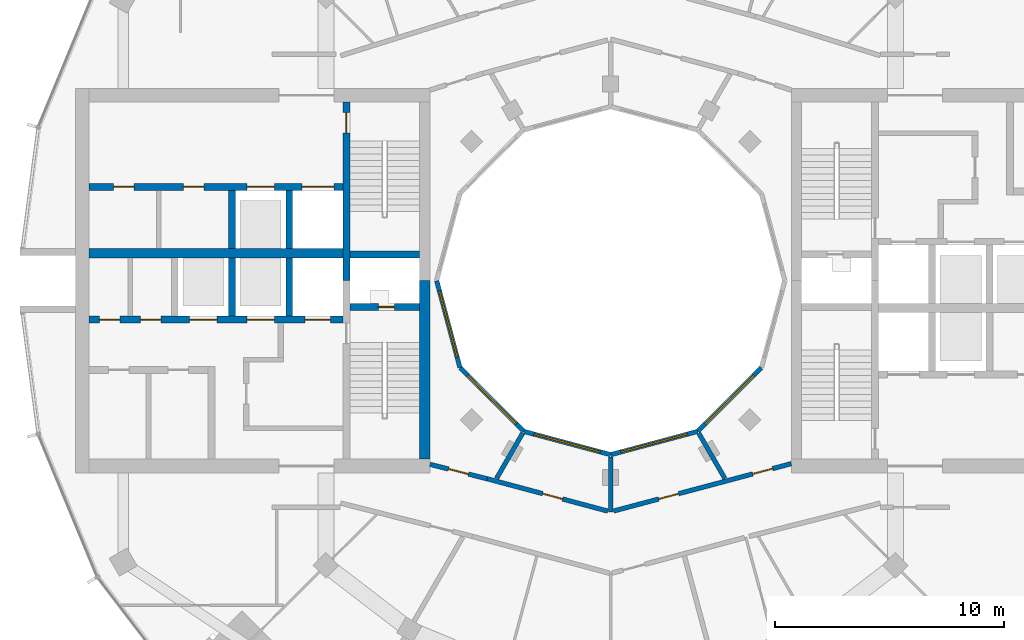
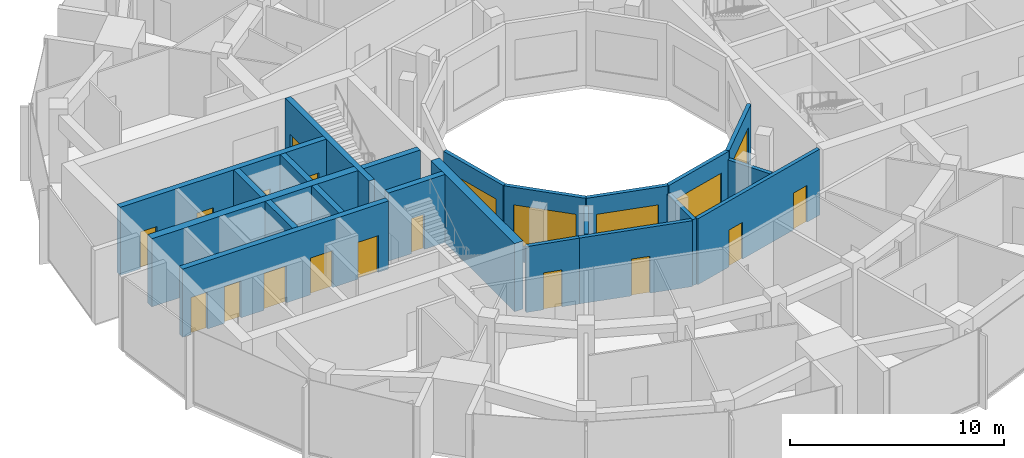
# One storey, part 9 of 15: 22 walls, 15 doors, 5 windows, 20 openings.
"""IFC4 building model written with IfcOpenShell, lengths in metres."""

from ifc_helpers import new_model, si_unit, direction, frame, frame_2d, origin, place, context, subcontext, project, spatial, rectangle, extrude, material, layer, layer_set, type_object, element, fill, save


model = new_model("IFC4")

# Units and contexts
model_context = context("Model", 3, precision=1e-05, world=origin(), true_north=direction((0.0, 1.0)))
body_context = subcontext(model_context, "Body", "Model", "MODEL_VIEW")
ifc_project = project(units=[si_unit("LENGTHUNIT", "METRE"), si_unit("AREAUNIT", "SQUARE_METRE"), si_unit("VOLUMEUNIT", "CUBIC_METRE"), si_unit("PLANEANGLEUNIT", "RADIAN"), si_unit("MASSUNIT", "GRAM", prefix="KILO")], contexts=[model_context])

# Site, building, storey
site_placement = place(None, origin())
site = spatial("IfcSite", under=ifc_project, at=site_placement, CompositionType="ELEMENT")
building_placement = place(site_placement, origin())
building = spatial("IfcBuilding", under=site, at=building_placement, Name="Torre Brocal", CompositionType="ELEMENT")
storey_placement = place(building_placement, frame((0.0, 0.0, 245.699951171875)))
storey = spatial("IfcBuildingStorey", under=building, at=storey_placement, Name="L56", CompositionType="ELEMENT", Elevation=245.699951171875)

# Wall, opening, door
ifc_material_1 = material(Name="Concrete C60", Category="concrete")
ifc_layer_1 = layer(ifc_material_1, 0.300048828125)
ifc_layer_set_1 = layer_set([ifc_layer_1], Name="Concrete C60")
wall_type_1 = type_object("IfcWallType", Name="CORE WALL 300 C60", PredefinedType="SHEAR", material=ifc_layer_set_1)
wall_1_placement = place(storey_placement, frame((68.449951171875, 82.800048828125, 0.0), z_axis=(0.0, 0.0, 1.0), x_axis=(0.0, -1.0, 0.0)))
wall_1 = element("IfcWall", 1, at=wall_1_placement, inside=storey, type_object=wall_type_1, Name="Wall CW300-60", PredefinedType="SHEAR", context=body_context, shape_type="SweptSolid", body=[
    extrude(rectangle(XDim=7.800048828125, YDim=0.300048828125, at=frame_2d((3.89990234375, 0.0))), origin(), (0.0, 0.0, 1.0), 3.880126953125),
])
opening_1_placement = place(wall_1_placement, frame((0.449951171875, 0.0, 0.0)))
opening_1 = element("IfcOpeningElement", 2, at=opening_1_placement, cuts=wall_1, Name="Opening W-D03", PredefinedType="OPENING", context=body_context, shape_type="SweptSolid", body=[
    extrude(rectangle(XDim=0.89990234375, YDim=2.10009765625, at=frame_2d((0.449951171875, 1.050048828125))), frame((0.0, 0.159912109375, 0.0), z_axis=(0.0, -1.0, 0.0), x_axis=(1.0, 0.0, 0.0)), (0.0, 0.0, 1.0), 0.320068359375),
])
ifc_material_2 = material(Name="Steel A653", Category="steel")
door_type_1 = type_object("IfcDoorType", Name="STAIR DOOR FD120 900X2100", OperationType="SINGLE_SWING_RIGHT", PredefinedType="DOOR", material=ifc_material_2)
door_1_placement = place(opening_1_placement, origin())
door_1 = element("IfcDoor", 3, at=door_1_placement, inside=storey, type_object=door_type_1, Name="Door W-D03", OperationType="SINGLE_SWING_LEFT", OverallHeight=2.10009765625, OverallWidth=0.89990234375, PredefinedType="DOOR", context=body_context, shape_type="SweptSolid", body=[
    extrude(rectangle(XDim=0.89990234375, YDim=2.10009765625, at=frame_2d((0.449951171875, 1.050048828125))), frame((0.0, 0.02490234375, 0.0), z_axis=(0.0, -1.0, 0.0), x_axis=(1.0, 0.0, 0.0)), (0.0, 0.0, 1.0), 0.050048828125),
])
fill(opening_1, door_1)

wall_2_placement = place(storey_placement, frame((71.64990234375, 73.85009765625, 0.0), z_axis=(0.0, 0.0, 1.0), x_axis=(-1.0, 0.0, 0.0)))
wall_2 = element("IfcWall", 4, at=wall_2_placement, inside=storey, type_object=wall_type_1, Name="Wall CW300-60", PredefinedType="SHEAR", context=body_context, shape_type="SweptSolid", body=[
    extrude(rectangle(XDim=3.0498046875, YDim=0.300048828125, at=frame_2d((1.52490234375, 0.0))), origin(), (0.0, 0.0, 1.0), 3.880126953125),
])
opening_2_placement = place(wall_2_placement, frame((1.10009765625, 0.0, 0.0)))
opening_2 = element("IfcOpeningElement", 5, at=opening_2_placement, cuts=wall_2, Name="Opening W-D01", PredefinedType="OPENING", context=body_context, shape_type="SweptSolid", body=[
    extrude(rectangle(XDim=0.699951171875, YDim=2.0, at=frame_2d((0.35009765625, 1.0))), frame((0.0, 0.159912109375, 0.0), z_axis=(0.0, -1.0, 0.0), x_axis=(1.0, 0.0, 0.0)), (0.0, 0.0, 1.0), 0.320068359375),
])
ifc_material_3 = material(Name="Steel A653", Category="steel")
door_type_2 = type_object("IfcDoorType", Name="RISER DOOR FD120 700X2000", OperationType="SINGLE_SWING_LEFT", PredefinedType="DOOR", material=ifc_material_3)
door_2_placement = place(opening_2_placement, frame((0.699951171875, 0.0, 0.0), z_axis=(0.0, 0.0, 1.0), x_axis=(-1.0, 0.0, 0.0)))
door_2 = element("IfcDoor", 6, at=door_2_placement, inside=storey, type_object=door_type_2, Name="Door W-D01", OperationType="SINGLE_SWING_RIGHT", OverallHeight=2.0, OverallWidth=0.699951171875, PredefinedType="DOOR", context=body_context, shape_type="SweptSolid", body=[
    extrude(rectangle(XDim=0.699951171875, YDim=2.0, at=frame_2d((0.35009765625, 1.0))), frame((0.0, 0.02490234375, 0.0), z_axis=(0.0, -1.0, 0.0), x_axis=(1.0, 0.0, 0.0)), (0.0, 0.0, 1.0), 0.050048828125),
])
fill(opening_2, door_2)

# Wall
wall_3_placement = place(storey_placement, frame((71.64990234375, 76.14990234375, 0.0), z_axis=(0.0, 0.0, 1.0), x_axis=(-1.0, 0.0, 0.0)))
element("IfcWall", 7, at=wall_3_placement, inside=storey, type_object=wall_type_1, Name="Wall CW300-60", PredefinedType="SHEAR", context=body_context, shape_type="SweptSolid", body=[
    extrude(rectangle(XDim=3.0498046875, YDim=0.300048828125, at=frame_2d((1.52490234375, 0.0))), origin(), (0.0, 0.0, 1.0), 3.880126953125),
])

# Wall, openings, doors
wall_4_placement = place(storey_placement, frame((68.300048828125, 73.300048828125, 0.0), z_axis=(0.0, 0.0, 1.0), x_axis=(-1.0, 0.0, 0.0)))
wall_4 = element("IfcWall", 8, at=wall_4_placement, inside=storey, type_object=wall_type_1, Name="Wall CW300-60", PredefinedType="SHEAR", context=body_context, shape_type="SweptSolid", body=[
    extrude(rectangle(XDim=11.10009765625, YDim=0.300048828125, at=frame_2d((5.550048828125, 0.0))), origin(), (0.0, 0.0, 1.0), 3.880126953125),
])
opening_3_placement = place(wall_4_placement, frame((0.550048828125, 0.0, 0.0)))
opening_3 = element("IfcOpeningElement", 9, at=opening_3_placement, cuts=wall_4, Name="Opening LD", PredefinedType="OPENING", context=body_context, shape_type="SweptSolid", body=[
    extrude(rectangle(XDim=1.10009765625, YDim=2.10009765625, at=frame_2d((0.550048828125, 1.050048828125))), frame((0.0, 0.159912109375, 0.0), z_axis=(0.0, -1.0, 0.0), x_axis=(1.0, 0.0, 0.0)), (0.0, 0.0, 1.0), 0.320068359375),
])
opening_4_placement = place(wall_4_placement, frame((3.0, 0.0, 0.0)))
opening_4 = element("IfcOpeningElement", 10, at=opening_4_placement, cuts=wall_4, Name="Opening LD12", PredefinedType="OPENING", context=body_context, shape_type="SweptSolid", body=[
    extrude(rectangle(XDim=1.199951171875, YDim=2.10009765625, at=frame_2d((0.60009765625, 1.050048828125))), frame((0.0, 0.159912109375, 0.0), z_axis=(0.0, -1.0, 0.0), x_axis=(1.0, 0.0, 0.0)), (0.0, 0.0, 1.0), 0.320068359375),
])
opening_5_placement = place(wall_4_placement, frame((5.5, 0.0, 0.0)))
opening_5 = element("IfcOpeningElement", 11, at=opening_5_placement, cuts=wall_4, Name="Opening LD12", PredefinedType="OPENING", context=body_context, shape_type="SweptSolid", body=[
    extrude(rectangle(XDim=1.199951171875, YDim=2.10009765625, at=frame_2d((0.60009765625, 1.050048828125))), frame((0.0, 0.159912109375, 0.0), z_axis=(0.0, -1.0, 0.0), x_axis=(1.0, 0.0, 0.0)), (0.0, 0.0, 1.0), 0.320068359375),
])
opening_6_placement = place(wall_4_placement, frame((7.949951171875, 0.0, 0.0)))
opening_6 = element("IfcOpeningElement", 12, at=opening_6_placement, cuts=wall_4, Name="Opening W-D04", PredefinedType="OPENING", context=body_context, shape_type="SweptSolid", body=[
    extrude(rectangle(XDim=0.89990234375, YDim=2.10009765625, at=frame_2d((0.449951171875, 1.050048828125))), frame((0.0, 0.159912109375, 0.0), z_axis=(0.0, -1.0, 0.0), x_axis=(1.0, 0.0, 0.0)), (0.0, 0.0, 1.0), 0.320068359375),
])
opening_7_placement = place(wall_4_placement, frame((9.75, 0.0, 0.0)))
opening_7 = element("IfcOpeningElement", 13, at=opening_7_placement, cuts=wall_4, Name="Opening W-D05", PredefinedType="OPENING", context=body_context, shape_type="SweptSolid", body=[
    extrude(rectangle(XDim=0.89990234375, YDim=2.10009765625, at=frame_2d((0.449951171875, 1.050048828125))), frame((0.0, 0.159912109375, 0.0), z_axis=(0.0, -1.0, 0.0), x_axis=(1.0, 0.0, 0.0)), (0.0, 0.0, 1.0), 0.320068359375),
])
ifc_material_4 = material(Name="Stainless steel AISI 316", Category="steel")
door_type_3 = type_object("IfcDoorType", Name="LIFT LANDING DOOR 1100X2100", OperationType="DOUBLE_DOOR_SLIDING", PredefinedType="DOOR", material=ifc_material_4)
door_3_placement = place(opening_3_placement, origin())
door_3 = element("IfcDoor", 14, at=door_3_placement, inside=storey, type_object=door_type_3, Name="Door LD", OperationType="DOUBLE_DOOR_SLIDING", OverallHeight=2.10009765625, OverallWidth=1.10009765625, PredefinedType="DOOR", context=body_context, shape_type="SweptSolid", body=[
    extrude(rectangle(XDim=1.10009765625, YDim=2.10009765625, at=frame_2d((0.550048828125, 1.050048828125))), frame((0.0, 0.02490234375, 0.0), z_axis=(0.0, -1.0, 0.0), x_axis=(1.0, 0.0, 0.0)), (0.0, 0.0, 1.0), 0.050048828125),
])
fill(opening_3, door_3)
ifc_material_5 = material(Name="Stainless steel AISI 316", Category="steel")
door_type_4 = type_object("IfcDoorType", Name="LIFT LANDING DOOR 1200X2100", OperationType="DOUBLE_DOOR_SLIDING", PredefinedType="DOOR", material=ifc_material_5)
door_4_placement = place(opening_4_placement, origin())
door_4 = element("IfcDoor", 15, at=door_4_placement, inside=storey, type_object=door_type_4, Name="Door LD12", OperationType="DOUBLE_DOOR_SLIDING", OverallHeight=2.10009765625, OverallWidth=1.199951171875, PredefinedType="DOOR", context=body_context, shape_type="SweptSolid", body=[
    extrude(rectangle(XDim=1.199951171875, YDim=2.10009765625, at=frame_2d((0.60009765625, 1.050048828125))), frame((0.0, 0.02490234375, 0.0), z_axis=(0.0, -1.0, 0.0), x_axis=(1.0, 0.0, 0.0)), (0.0, 0.0, 1.0), 0.050048828125),
])
fill(opening_4, door_4)
door_5_placement = place(opening_5_placement, origin())
door_5 = element("IfcDoor", 16, at=door_5_placement, inside=storey, type_object=door_type_4, Name="Door LD12", OperationType="DOUBLE_DOOR_SLIDING", OverallHeight=2.10009765625, OverallWidth=1.199951171875, PredefinedType="DOOR", context=body_context, shape_type="SweptSolid", body=[
    extrude(rectangle(XDim=1.199951171875, YDim=2.10009765625, at=frame_2d((0.60009765625, 1.050048828125))), frame((0.0, 0.02490234375, 0.0), z_axis=(0.0, -1.0, 0.0), x_axis=(1.0, 0.0, 0.0)), (0.0, 0.0, 1.0), 0.050048828125),
])
fill(opening_5, door_5)
ifc_material_6 = material(Name="Steel A653", Category="steel")
door_type_5 = type_object("IfcDoorType", Name="ROOM DOOR FD30S 900X2100", OperationType="SINGLE_SWING_LEFT", PredefinedType="DOOR", material=ifc_material_6)
door_6_placement = place(opening_6_placement, frame((0.89990234375, 0.0, 0.0), z_axis=(0.0, 0.0, 1.0), x_axis=(-1.0, 0.0, 0.0)))
door_6 = element("IfcDoor", 17, at=door_6_placement, inside=storey, type_object=door_type_5, Name="Door W-D04", OperationType="SINGLE_SWING_LEFT", OverallHeight=2.10009765625, OverallWidth=0.89990234375, PredefinedType="DOOR", context=body_context, shape_type="SweptSolid", body=[
    extrude(rectangle(XDim=0.89990234375, YDim=2.10009765625, at=frame_2d((0.449951171875, 1.050048828125))), frame((0.0, 0.02490234375, 0.0), z_axis=(0.0, -1.0, 0.0), x_axis=(1.0, 0.0, 0.0)), (0.0, 0.0, 1.0), 0.050048828125),
])
fill(opening_6, door_6)
door_7_placement = place(opening_7_placement, frame((0.89990234375, 0.0, 0.0), z_axis=(0.0, 0.0, 1.0), x_axis=(-1.0, 0.0, 0.0)))
door_7 = element("IfcDoor", 18, at=door_7_placement, inside=storey, type_object=door_type_5, Name="Door W-D05", OperationType="SINGLE_SWING_RIGHT", OverallHeight=2.10009765625, OverallWidth=0.89990234375, PredefinedType="DOOR", context=body_context, shape_type="SweptSolid", body=[
    extrude(rectangle(XDim=0.89990234375, YDim=2.10009765625, at=frame_2d((0.449951171875, 1.050048828125))), frame((0.0, 0.02490234375, 0.0), z_axis=(0.0, -1.0, 0.0), x_axis=(1.0, 0.0, 0.0)), (0.0, 0.0, 1.0), 0.050048828125),
])
fill(opening_7, door_7)

wall_5_placement = place(storey_placement, frame((68.300048828125, 79.10009765625, 0.0), z_axis=(0.0, 0.0, 1.0), x_axis=(-1.0, 0.0, 0.0)))
wall_5 = element("IfcWall", 19, at=wall_5_placement, inside=storey, type_object=wall_type_1, Name="Wall CW300-60", PredefinedType="SHEAR", context=body_context, shape_type="SweptSolid", body=[
    extrude(rectangle(XDim=11.10009765625, YDim=0.300048828125, at=frame_2d((5.550048828125, 0.0))), origin(), (0.0, 0.0, 1.0), 3.880126953125),
])
opening_8_placement = place(wall_5_placement, frame((0.39990234375, 0.0, 0.0)))
opening_8 = element("IfcOpeningElement", 20, at=opening_8_placement, cuts=wall_5, Name="Opening LD14", PredefinedType="OPENING", context=body_context, shape_type="SweptSolid", body=[
    extrude(rectangle(XDim=1.39990234375, YDim=2.10009765625, at=frame_2d((0.699951171875, 1.050048828125))), frame((0.0, 0.159912109375, 0.0), z_axis=(0.0, -1.0, 0.0), x_axis=(1.0, 0.0, 0.0)), (0.0, 0.0, 1.0), 0.320068359375),
])
opening_9_placement = place(wall_5_placement, frame((3.0, 0.0, 0.0)))
opening_9 = element("IfcOpeningElement", 21, at=opening_9_placement, cuts=wall_5, Name="Opening LD12", PredefinedType="OPENING", context=body_context, shape_type="SweptSolid", body=[
    extrude(rectangle(XDim=1.199951171875, YDim=2.10009765625, at=frame_2d((0.60009765625, 1.050048828125))), frame((0.0, 0.159912109375, 0.0), z_axis=(0.0, -1.0, 0.0), x_axis=(1.0, 0.0, 0.0)), (0.0, 0.0, 1.0), 0.320068359375),
])
opening_10_placement = place(wall_5_placement, frame((6.074951171875, 0.0, 0.0)))
opening_10 = element("IfcOpeningElement", 22, at=opening_10_placement, cuts=wall_5, Name="Opening W-D06", PredefinedType="OPENING", context=body_context, shape_type="SweptSolid", body=[
    extrude(rectangle(XDim=0.89990234375, YDim=2.10009765625, at=frame_2d((0.449951171875, 1.050048828125))), frame((0.0, 0.159912109375, 0.0), z_axis=(0.0, -1.0, 0.0), x_axis=(1.0, 0.0, 0.0)), (0.0, 0.0, 1.0), 0.320068359375),
])
opening_11_placement = place(wall_5_placement, frame((9.125, 0.0, 0.0)))
opening_11 = element("IfcOpeningElement", 23, at=opening_11_placement, cuts=wall_5, Name="Opening W-D07", PredefinedType="OPENING", context=body_context, shape_type="SweptSolid", body=[
    extrude(rectangle(XDim=0.89990234375, YDim=2.10009765625, at=frame_2d((0.449951171875, 1.050048828125))), frame((0.0, 0.159912109375, 0.0), z_axis=(0.0, -1.0, 0.0), x_axis=(1.0, 0.0, 0.0)), (0.0, 0.0, 1.0), 0.320068359375),
])
door_8_placement = place(opening_9_placement, origin())
door_8 = element("IfcDoor", 24, at=door_8_placement, inside=storey, type_object=door_type_4, Name="Door LD12", OperationType="DOUBLE_DOOR_SLIDING", OverallHeight=2.10009765625, OverallWidth=1.199951171875, PredefinedType="DOOR", context=body_context, shape_type="SweptSolid", body=[
    extrude(rectangle(XDim=1.199951171875, YDim=2.10009765625, at=frame_2d((0.60009765625, 1.050048828125))), frame((0.0, 0.02490234375, 0.0), z_axis=(0.0, -1.0, 0.0), x_axis=(1.0, 0.0, 0.0)), (0.0, 0.0, 1.0), 0.050048828125),
])
fill(opening_9, door_8)
ifc_material_7 = material(Name="Stainless steel AISI 316", Category="steel")
door_type_6 = type_object("IfcDoorType", Name="LIFT LANDING DOOR 1400X2100", OperationType="DOUBLE_DOOR_SLIDING", PredefinedType="DOOR", material=ifc_material_7)
door_9_placement = place(opening_8_placement, origin())
door_9 = element("IfcDoor", 25, at=door_9_placement, inside=storey, type_object=door_type_6, Name="Door LD14", OperationType="DOUBLE_DOOR_SLIDING", OverallHeight=2.10009765625, OverallWidth=1.39990234375, PredefinedType="DOOR", context=body_context, shape_type="SweptSolid", body=[
    extrude(rectangle(XDim=1.39990234375, YDim=2.10009765625, at=frame_2d((0.699951171875, 1.050048828125))), frame((0.0, 0.02490234375, 0.0), z_axis=(0.0, -1.0, 0.0), x_axis=(1.0, 0.0, 0.0)), (0.0, 0.0, 1.0), 0.050048828125),
])
fill(opening_8, door_9)
door_10_placement = place(opening_10_placement, origin())
door_10 = element("IfcDoor", 26, at=door_10_placement, inside=storey, type_object=door_type_5, Name="Door W-D06", OperationType="SINGLE_SWING_RIGHT", OverallHeight=2.10009765625, OverallWidth=0.89990234375, PredefinedType="DOOR", context=body_context, shape_type="SweptSolid", body=[
    extrude(rectangle(XDim=0.89990234375, YDim=2.10009765625, at=frame_2d((0.449951171875, 1.050048828125))), frame((0.0, 0.02490234375, 0.0), z_axis=(0.0, -1.0, 0.0), x_axis=(1.0, 0.0, 0.0)), (0.0, 0.0, 1.0), 0.050048828125),
])
fill(opening_10, door_10)
door_11_placement = place(opening_11_placement, origin())
door_11 = element("IfcDoor", 27, at=door_11_placement, inside=storey, type_object=door_type_5, Name="Door W-D07", OperationType="SINGLE_SWING_LEFT", OverallHeight=2.10009765625, OverallWidth=0.89990234375, PredefinedType="DOOR", context=body_context, shape_type="SweptSolid", body=[
    extrude(rectangle(XDim=0.89990234375, YDim=2.10009765625, at=frame_2d((0.449951171875, 1.050048828125))), frame((0.0, 0.02490234375, 0.0), z_axis=(0.0, -1.0, 0.0), x_axis=(1.0, 0.0, 0.0)), (0.0, 0.0, 1.0), 0.050048828125),
])
fill(opening_11, door_11)

# Walls
for number, where, z_axis, x_axis, name in (
    (28, (65.949951171875, 76.0, 0.0), (0.0, 0.0, 1.0), (0.0, -1.0, 0.0), "Wall CW300-60"),
    (29, (63.449951171875, 76.0, 0.0), (0.0, 0.0, 1.0), (0.0, -1.0, 0.0), "Wall CW300-60"),
    (30, (65.949951171875, 78.949951171875, 0.0), (0.0, 0.0, 1.0), (0.0, -1.0, 0.0), "Wall CW300-60"),
    (31, (63.449951171875, 78.949951171875, 0.0), (0.0, 0.0, 1.0), (0.0, -1.0, 0.0), "Wall CW300-60"),
):
    element("IfcWall", number, at=place(storey_placement, frame(where, z_axis=z_axis, x_axis=x_axis)), inside=storey, type_object=wall_type_1, Name=name, PredefinedType="SHEAR", context=body_context, shape_type="SweptSolid", body=[
        extrude(rectangle(XDim=2.550048828125, YDim=0.300048828125, at=frame_2d((1.27490234375, 0.0))), origin(), (0.0, 0.0, 1.0), 3.880126953125),
    ])
ifc_material_8 = material(Name="Concrete C60", Category="concrete")
ifc_layer_2 = layer(ifc_material_8, 0.39990234375)
ifc_layer_set_2 = layer_set([ifc_layer_2], Name="Concrete C60")
wall_type_2 = type_object("IfcWallType", Name="CORE WALL 400 C60", PredefinedType="SHEAR", material=ifc_layer_set_2)
wall_6_placement = place(storey_placement, frame((68.300048828125, 76.199951171875, 0.0), z_axis=(0.0, 0.0, 1.0), x_axis=(-1.0, 0.0, 0.0)))
element("IfcWall", 32, at=wall_6_placement, inside=storey, type_object=wall_type_2, Name="Wall CW400-60", PredefinedType="SHEAR", context=body_context, shape_type="SweptSolid", body=[
    extrude(rectangle(XDim=11.10009765625, YDim=0.39990234375, at=frame_2d((5.550048828125, 0.0))), origin(), (0.0, 0.0, 1.0), 3.880126953125),
])
ifc_material_9 = material(Name="Concrete C60", Category="concrete")
ifc_layer_3 = layer(ifc_material_9, 0.449951171875)
ifc_layer_set_3 = layer_set([ifc_layer_3], Name="Concrete C60")
wall_type_3 = type_object("IfcWallType", Name="CORE WALL 450 C60", PredefinedType="SHEAR", material=ifc_layer_set_3)
wall_7_placement = place(storey_placement, frame((71.875, 75.0, 0.0), z_axis=(0.0, 0.0, 1.0), x_axis=(0.0, -1.0, 0.0)))
element("IfcWall", 33, at=wall_7_placement, inside=storey, type_object=wall_type_3, Name="Wall CW450-60", PredefinedType="SHEAR", context=body_context, shape_type="SweptSolid", body=[
    extrude(rectangle(XDim=7.800048828125, YDim=0.449951171875, at=frame_2d((3.89990234375, 0.0))), origin(), (0.0, 0.0, 1.0), 3.880126953125),
])

# Wall, opening, door
ifc_material_10 = material(Name="Gypsum board", Category="Gypsum")
ifc_layer_4 = layer(ifc_material_10, 0.199951171875)
ifc_layer_set_4 = layer_set([ifc_layer_4], Name="Gypsum board")
wall_type_4 = type_object("IfcWallType", Name="PARTITION 200 EI60", PredefinedType="PARTITIONING", material=ifc_layer_set_4)
wall_8_placement = place(storey_placement, frame((72.10009765625, 66.97509765625, 0.0), z_axis=(0.0, 0.0, 1.0), x_axis=(0.969471314457, -0.245204752086, 0.0)))
wall_8 = element("IfcWall", 34, at=wall_8_placement, inside=storey, type_object=wall_type_4, Name="CORRIDOR WALL", PredefinedType="PARTITIONING", context=body_context, shape_type="SweptSolid", body=[
    extrude(rectangle(XDim=2.581787109375, YDim=0.199951171875, at=frame_2d((1.291015625, 0.0))), origin(), (0.0, 0.0, 1.0), 3.75),
])
opening_12_placement = place(wall_8_placement, frame((0.8408203125, 0.0, 0.0)))
opening_12 = element("IfcOpeningElement", 35, at=opening_12_placement, cuts=wall_8, Name="Opening B03-D39", PredefinedType="OPENING", context=body_context, shape_type="SweptSolid", body=[
    extrude(rectangle(XDim=0.89990234375, YDim=2.10009765625, at=frame_2d((0.449951171875, 1.050048828125))), frame((0.0, 0.10986328125, 0.0), z_axis=(0.0, -1.0, 0.0), x_axis=(1.0, 0.0, 0.0)), (0.0, 0.0, 1.0), 0.219970703125),
])
ifc_material_11 = material(Name="Timber", Category="wood")
door_type_7 = type_object("IfcDoorType", Name="ROOM DOOR 900X2100", OperationType="SINGLE_SWING_LEFT", PredefinedType="DOOR", material=ifc_material_11)
door_12_placement = place(opening_12_placement, origin())
door_12 = element("IfcDoor", 36, at=door_12_placement, inside=storey, type_object=door_type_7, Name="B03-D39", OperationType="SINGLE_SWING_LEFT", OverallHeight=2.10009765625, OverallWidth=0.89990234375, PredefinedType="DOOR", context=body_context, shape_type="SweptSolid", body=[
    extrude(rectangle(XDim=0.89990234375, YDim=2.10009765625, at=frame_2d((0.449951171875, 1.050048828125))), frame((0.0, 0.02490234375, 0.0), z_axis=(0.0, -1.0, 0.0), x_axis=(1.0, 0.0, 0.0)), (0.0, 0.0, 1.0), 0.050048828125),
])
fill(opening_12, door_12)

wall_9_placement = place(storey_placement, frame((74.60302734375, 66.342041015625, 0.0), z_axis=(0.0, 0.0, 1.0), x_axis=(0.965920893652, -0.258837453254, 0.0)))
wall_9 = element("IfcWall", 37, at=wall_9_placement, inside=storey, type_object=wall_type_4, Name="CORRIDOR WALL", PredefinedType="PARTITIONING", context=body_context, shape_type="SweptSolid", body=[
    extrude(rectangle(XDim=5.45751953125, YDim=0.199951171875, at=frame_2d((2.728759765625, 0.0))), origin(), (0.0, 0.0, 1.0), 3.75),
])
opening_13_placement = place(wall_9_placement, frame((2.512451171875, 0.0, 0.0)))
opening_13 = element("IfcOpeningElement", 38, at=opening_13_placement, cuts=wall_9, Name="Opening B03-D38", PredefinedType="OPENING", context=body_context, shape_type="SweptSolid", body=[
    extrude(rectangle(XDim=0.89990234375, YDim=2.10009765625, at=frame_2d((0.449951171875, 1.050048828125))), frame((0.0, 0.10986328125, 0.0), z_axis=(0.0, -1.0, 0.0), x_axis=(1.0, 0.0, 0.0)), (0.0, 0.0, 1.0), 0.219970703125),
])
door_13_placement = place(opening_13_placement, origin())
door_13 = element("IfcDoor", 39, at=door_13_placement, inside=storey, type_object=door_type_7, Name="B03-D38", OperationType="SINGLE_SWING_LEFT", OverallHeight=2.10009765625, OverallWidth=0.89990234375, PredefinedType="DOOR", context=body_context, shape_type="SweptSolid", body=[
    extrude(rectangle(XDim=0.89990234375, YDim=2.10009765625, at=frame_2d((0.449951171875, 1.050048828125))), frame((0.0, 0.02490234375, 0.0), z_axis=(0.0, -1.0, 0.0), x_axis=(1.0, 0.0, 0.0)), (0.0, 0.0, 1.0), 0.050048828125),
])
fill(opening_13, door_13)

# Wall
wall_10_placement = place(storey_placement, frame((75.013916015625, 66.362060546875, 0.0), z_axis=(0.0, 0.0, 1.0), x_axis=(0.500097042406, 0.865969369075, 0.0)))
element("IfcWall", 40, at=wall_10_placement, inside=storey, type_object=wall_type_4, Name="SERVICE ROOM WALL", PredefinedType="PARTITIONING", context=body_context, shape_type="SweptSolid", body=[
    extrude(rectangle(XDim=2.275390625, YDim=0.199951171875, at=frame_2d((1.1376953125, 0.0))), origin(), (0.0, 0.0, 1.0), 3.75),
])

# Wall, openings, doors
wall_11_placement = place(storey_placement, frame((80.125, 64.931640625, 0.0), z_axis=(0.0, 0.0, 1.0), x_axis=(0.966236955806, 0.257655089674, 0.0)))
wall_11 = element("IfcWall", 41, at=wall_11_placement, inside=storey, type_object=wall_type_4, Name="CORRIDOR WALL", PredefinedType="PARTITIONING", context=body_context, shape_type="SweptSolid", body=[
    extrude(rectangle(XDim=8.0390625, YDim=0.199951171875, at=frame_2d((4.01953125, 0.0))), origin(), (0.0, 0.0, 1.0), 3.75),
])
opening_14_placement = place(wall_11_placement, frame((6.298095703125, 0.0, 0.0)))
opening_14 = element("IfcOpeningElement", 42, at=opening_14_placement, cuts=wall_11, Name="Opening B03-D36", PredefinedType="OPENING", context=body_context, shape_type="SweptSolid", body=[
    extrude(rectangle(XDim=0.89990234375, YDim=2.10009765625, at=frame_2d((0.449951171875, 1.050048828125))), frame((0.0, 0.10986328125, 0.0), z_axis=(0.0, -1.0, 0.0), x_axis=(1.0, 0.0, 0.0)), (0.0, 0.0, 1.0), 0.219970703125),
])
opening_15_placement = place(wall_11_placement, frame((2.044921875, 0.0, 0.0)))
opening_15 = element("IfcOpeningElement", 43, at=opening_15_placement, cuts=wall_11, Name="Opening B03-D37", PredefinedType="OPENING", context=body_context, shape_type="SweptSolid", body=[
    extrude(rectangle(XDim=0.89990234375, YDim=2.10009765625, at=frame_2d((0.449951171875, 1.050048828125))), frame((0.0, 0.10986328125, 0.0), z_axis=(0.0, -1.0, 0.0), x_axis=(1.0, 0.0, 0.0)), (0.0, 0.0, 1.0), 0.219970703125),
])
door_14_placement = place(opening_14_placement, origin())
door_14 = element("IfcDoor", 44, at=door_14_placement, inside=storey, type_object=door_type_7, Name="B03-D36", OperationType="SINGLE_SWING_RIGHT", OverallHeight=2.10009765625, OverallWidth=0.89990234375, PredefinedType="DOOR", context=body_context, shape_type="SweptSolid", body=[
    extrude(rectangle(XDim=0.89990234375, YDim=2.10009765625, at=frame_2d((0.449951171875, 1.050048828125))), frame((0.0, 0.02490234375, 0.0), z_axis=(0.0, -1.0, 0.0), x_axis=(1.0, 0.0, 0.0)), (0.0, 0.0, 1.0), 0.050048828125),
])
fill(opening_14, door_14)
door_15_placement = place(opening_15_placement, origin())
door_15 = element("IfcDoor", 45, at=door_15_placement, inside=storey, type_object=door_type_7, Name="B03-D37", OperationType="SINGLE_SWING_RIGHT", OverallHeight=2.10009765625, OverallWidth=0.89990234375, PredefinedType="DOOR", context=body_context, shape_type="SweptSolid", body=[
    extrude(rectangle(XDim=0.89990234375, YDim=2.10009765625, at=frame_2d((0.449951171875, 1.050048828125))), frame((0.0, 0.02490234375, 0.0), z_axis=(0.0, -1.0, 0.0), x_axis=(1.0, 0.0, 0.0)), (0.0, 0.0, 1.0), 0.050048828125),
])
fill(opening_15, door_15)

# Walls
wall_12_placement = place(storey_placement, frame((80.0, 64.89599609375, 0.0), z_axis=(0.0, 0.0, 1.0), x_axis=(0.0, 1.0, 0.0)))
element("IfcWall", 46, at=wall_12_placement, inside=storey, type_object=wall_type_4, Name="SERVICE ROOM WALL", PredefinedType="PARTITIONING", context=body_context, shape_type="SweptSolid", body=[
    extrude(rectangle(XDim=2.405029296875, YDim=0.199951171875, at=frame_2d((1.20263671875, 0.0))), origin(), (0.0, 0.0, 1.0), 3.75),
])
wall_13_placement = place(storey_placement, frame((83.849609375, 68.333251953125, 0.0), z_axis=(0.0, 0.0, 1.0), x_axis=(0.500080019051, -0.865979199835, 0.0)))
element("IfcWall", 47, at=wall_13_placement, inside=storey, type_object=wall_type_4, Name="PARTY PARTITION", PredefinedType="PARTITIONING", context=body_context, shape_type="SweptSolid", body=[
    extrude(rectangle(XDim=2.285400390625, YDim=0.199951171875, at=frame_2d((1.142578125, 0.0))), origin(), (0.0, 0.0, 1.0), 3.75),
])

# Wall, opening, window
ifc_material_12 = material(Name="Concrete C40", Category="concrete")
ifc_layer_5 = layer(ifc_material_12, 0.199951171875)
ifc_layer_set_5 = layer_set([ifc_layer_5], Name="Concrete C40")
wall_type_5 = type_object("IfcWallType", Name="WELL FACADE WALL 200", PredefinedType="NOTDEFINED", material=ifc_layer_set_5)
wall_14_placement = place(storey_placement, frame((72.396484375, 75.0, 0.0), z_axis=(0.0, 0.0, 1.0), x_axis=(0.258789828301, -0.965933654434, 0.0)))
wall_14 = element("IfcWall", 48, at=wall_14_placement, inside=storey, type_object=wall_type_5, Name="WELL FACADE WALL", PredefinedType="NOTDEFINED", context=body_context, shape_type="SweptSolid", body=[
    extrude(rectangle(XDim=3.935791015625, YDim=0.199951171875, at=frame_2d((1.9677734375, 0.0))), origin(), (0.0, 0.0, 1.0), 4.199951171875),
])
opening_16_placement = place(wall_14_placement, frame((0.468017578125, 0.0, 0.89990234375)))
opening_16 = element("IfcOpeningElement", 49, at=opening_16_placement, cuts=wall_14, Name="Opening W1", PredefinedType="OPENING", context=body_context, shape_type="SweptSolid", body=[
    extrude(rectangle(XDim=3.0, YDim=2.300048828125, at=frame_2d((1.5, 1.14990234375))), frame((0.0, 0.10986328125, 0.0), z_axis=(0.0, -1.0, 0.0), x_axis=(1.0, 0.0, 0.0)), (0.0, 0.0, 1.0), 0.219970703125),
])
ifc_material_13 = material(Name="Aluminium and glass", Category="aluminium")
window_type = type_object("IfcWindowType", Name="WELL WINDOW 3000X2300", PartitioningType="SINGLE_PANEL", PredefinedType="WINDOW", material=ifc_material_13)
window_1_placement = place(opening_16_placement, origin())
window_1 = element("IfcWindow", 50, at=window_1_placement, inside=storey, type_object=window_type, Name="WELL WINDOW 3000X2300", OverallHeight=2.300048828125, OverallWidth=3.0, PartitioningType="SINGLE_PANEL", PredefinedType="WINDOW", context=body_context, shape_type="SweptSolid", body=[
    extrude(rectangle(XDim=3.0, YDim=2.300048828125, at=frame_2d((1.5, 1.14990234375))), frame((0.0, 0.030029296875, 0.0), z_axis=(0.0, -1.0, 0.0), x_axis=(1.0, 0.0, 0.0)), (0.0, 0.0, 1.0), 0.06005859375),
])
fill(opening_16, window_1)

wall_15_placement = place(storey_placement, frame((73.4150390625, 71.1982421875, 0.0), z_axis=(0.0, 0.0, 1.0), x_axis=(0.707106781187, -0.707106781187, 0.0)))
wall_15 = element("IfcWall", 51, at=wall_15_placement, inside=storey, type_object=wall_type_5, Name="WELL FACADE WALL", PredefinedType="NOTDEFINED", context=body_context, shape_type="SweptSolid", body=[
    extrude(rectangle(XDim=3.93603515625, YDim=0.199951171875, at=frame_2d((1.968017578125, 0.0))), origin(), (0.0, 0.0, 1.0), 4.199951171875),
])
opening_17_placement = place(wall_15_placement, frame((0.468017578125, 0.0, 0.89990234375)))
opening_17 = element("IfcOpeningElement", 52, at=opening_17_placement, cuts=wall_15, Name="Opening W1", PredefinedType="OPENING", context=body_context, shape_type="SweptSolid", body=[
    extrude(rectangle(XDim=3.0, YDim=2.300048828125, at=frame_2d((1.5, 1.14990234375))), frame((0.0, 0.10986328125, 0.0), z_axis=(0.0, -1.0, 0.0), x_axis=(1.0, 0.0, 0.0)), (0.0, 0.0, 1.0), 0.219970703125),
])
window_2_placement = place(opening_17_placement, origin())
window_2 = element("IfcWindow", 53, at=window_2_placement, inside=storey, type_object=window_type, Name="WELL WINDOW 3000X2300", OverallHeight=2.300048828125, OverallWidth=3.0, PartitioningType="SINGLE_PANEL", PredefinedType="WINDOW", context=body_context, shape_type="SweptSolid", body=[
    extrude(rectangle(XDim=3.0, YDim=2.300048828125, at=frame_2d((1.5, 1.14990234375))), frame((0.0, 0.030029296875, 0.0), z_axis=(0.0, -1.0, 0.0), x_axis=(1.0, 0.0, 0.0)), (0.0, 0.0, 1.0), 0.06005859375),
])
fill(opening_17, window_2)

wall_16_placement = place(storey_placement, frame((76.1982421875, 68.4150390625, 0.0), z_axis=(0.0, 0.0, 1.0), x_axis=(0.965933654434, -0.258789828301, 0.0)))
wall_16 = element("IfcWall", 54, at=wall_16_placement, inside=storey, type_object=wall_type_5, Name="WELL FACADE WALL", PredefinedType="NOTDEFINED", context=body_context, shape_type="SweptSolid", body=[
    extrude(rectangle(XDim=3.935791015625, YDim=0.199951171875, at=frame_2d((1.9677734375, 0.0))), origin(), (0.0, 0.0, 1.0), 4.199951171875),
])
opening_18_placement = place(wall_16_placement, frame((0.468017578125, 0.0, 0.89990234375)))
opening_18 = element("IfcOpeningElement", 55, at=opening_18_placement, cuts=wall_16, Name="Opening W1", PredefinedType="OPENING", context=body_context, shape_type="SweptSolid", body=[
    extrude(rectangle(XDim=3.0, YDim=2.300048828125, at=frame_2d((1.5, 1.14990234375))), frame((0.0, 0.10986328125, 0.0), z_axis=(0.0, -1.0, 0.0), x_axis=(1.0, 0.0, 0.0)), (0.0, 0.0, 1.0), 0.219970703125),
])
window_3_placement = place(opening_18_placement, origin())
window_3 = element("IfcWindow", 56, at=window_3_placement, inside=storey, type_object=window_type, Name="WELL WINDOW 3000X2300", OverallHeight=2.300048828125, OverallWidth=3.0, PartitioningType="SINGLE_PANEL", PredefinedType="WINDOW", context=body_context, shape_type="SweptSolid", body=[
    extrude(rectangle(XDim=3.0, YDim=2.300048828125, at=frame_2d((1.5, 1.14990234375))), frame((0.0, 0.030029296875, 0.0), z_axis=(0.0, -1.0, 0.0), x_axis=(1.0, 0.0, 0.0)), (0.0, 0.0, 1.0), 0.06005859375),
])
fill(opening_18, window_3)

wall_17_placement = place(storey_placement, frame((80.0, 67.396484375, 0.0), z_axis=(0.0, 0.0, 1.0), x_axis=(0.965933654434, 0.258789828301, 0.0)))
wall_17 = element("IfcWall", 57, at=wall_17_placement, inside=storey, type_object=wall_type_5, Name="WELL FACADE WALL", PredefinedType="NOTDEFINED", context=body_context, shape_type="SweptSolid", body=[
    extrude(rectangle(XDim=3.935791015625, YDim=0.199951171875, at=frame_2d((1.9677734375, 0.0))), origin(), (0.0, 0.0, 1.0), 4.199951171875),
])
opening_19_placement = place(wall_17_placement, frame((0.468017578125, 0.0, 0.89990234375)))
opening_19 = element("IfcOpeningElement", 58, at=opening_19_placement, cuts=wall_17, Name="Opening W1", PredefinedType="OPENING", context=body_context, shape_type="SweptSolid", body=[
    extrude(rectangle(XDim=3.0, YDim=2.300048828125, at=frame_2d((1.5, 1.14990234375))), frame((0.0, 0.10986328125, 0.0), z_axis=(0.0, -1.0, 0.0), x_axis=(1.0, 0.0, 0.0)), (0.0, 0.0, 1.0), 0.219970703125),
])
window_4_placement = place(opening_19_placement, origin())
window_4 = element("IfcWindow", 59, at=window_4_placement, inside=storey, type_object=window_type, Name="WELL WINDOW 3000X2300", OverallHeight=2.300048828125, OverallWidth=3.0, PartitioningType="SINGLE_PANEL", PredefinedType="WINDOW", context=body_context, shape_type="SweptSolid", body=[
    extrude(rectangle(XDim=3.0, YDim=2.300048828125, at=frame_2d((1.5, 1.14990234375))), frame((0.0, 0.030029296875, 0.0), z_axis=(0.0, -1.0, 0.0), x_axis=(1.0, 0.0, 0.0)), (0.0, 0.0, 1.0), 0.06005859375),
])
fill(opening_19, window_4)

wall_18_placement = place(storey_placement, frame((83.8017578125, 68.4150390625, 0.0), z_axis=(0.0, 0.0, 1.0), x_axis=(0.707106781187, 0.707106781187, 0.0)))
wall_18 = element("IfcWall", 60, at=wall_18_placement, inside=storey, type_object=wall_type_5, Name="WELL FACADE WALL", PredefinedType="NOTDEFINED", context=body_context, shape_type="SweptSolid", body=[
    extrude(rectangle(XDim=3.93603515625, YDim=0.199951171875, at=frame_2d((1.968017578125, 0.0))), origin(), (0.0, 0.0, 1.0), 4.199951171875),
])
opening_20_placement = place(wall_18_placement, frame((0.468017578125, 0.0, 0.89990234375)))
opening_20 = element("IfcOpeningElement", 61, at=opening_20_placement, cuts=wall_18, Name="Opening W1", PredefinedType="OPENING", context=body_context, shape_type="SweptSolid", body=[
    extrude(rectangle(XDim=3.0, YDim=2.300048828125, at=frame_2d((1.5, 1.14990234375))), frame((0.0, 0.10986328125, 0.0), z_axis=(0.0, -1.0, 0.0), x_axis=(1.0, 0.0, 0.0)), (0.0, 0.0, 1.0), 0.219970703125),
])
window_5_placement = place(opening_20_placement, origin())
window_5 = element("IfcWindow", 62, at=window_5_placement, inside=storey, type_object=window_type, Name="WELL WINDOW 3000X2300", OverallHeight=2.300048828125, OverallWidth=3.0, PartitioningType="SINGLE_PANEL", PredefinedType="WINDOW", context=body_context, shape_type="SweptSolid", body=[
    extrude(rectangle(XDim=3.0, YDim=2.300048828125, at=frame_2d((1.5, 1.14990234375))), frame((0.0, 0.030029296875, 0.0), z_axis=(0.0, -1.0, 0.0), x_axis=(1.0, 0.0, 0.0)), (0.0, 0.0, 1.0), 0.06005859375),
])
fill(opening_20, window_5)

save(model, "model.ifc")
